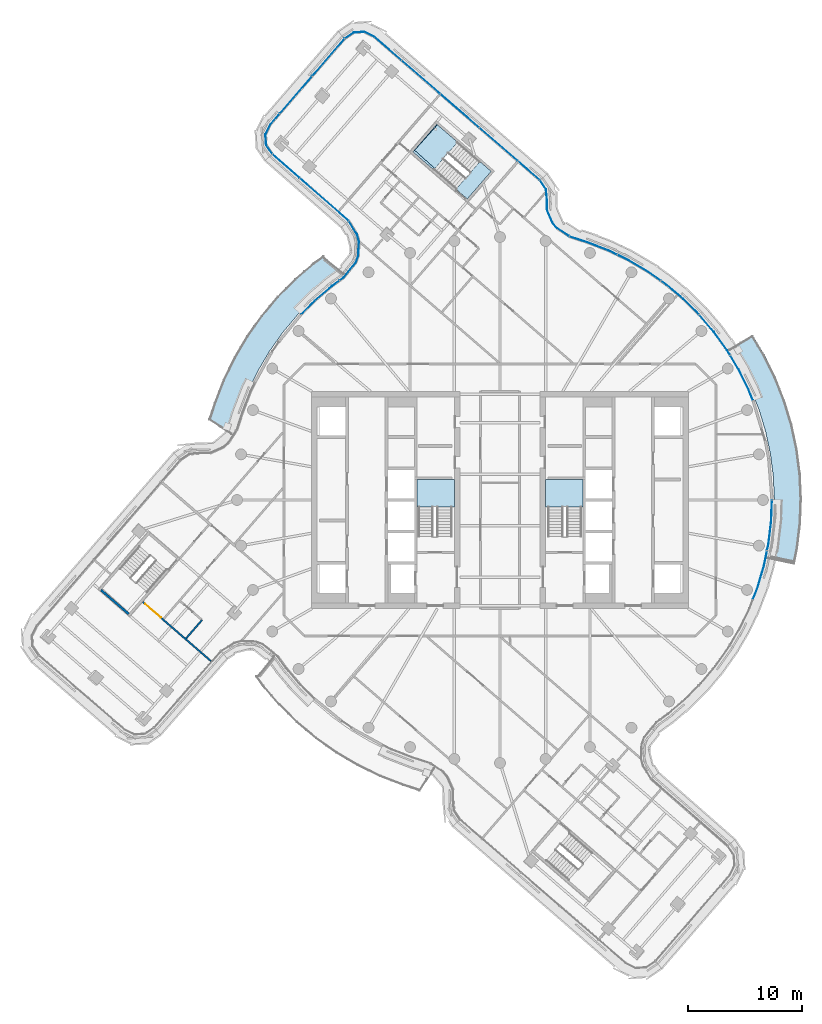
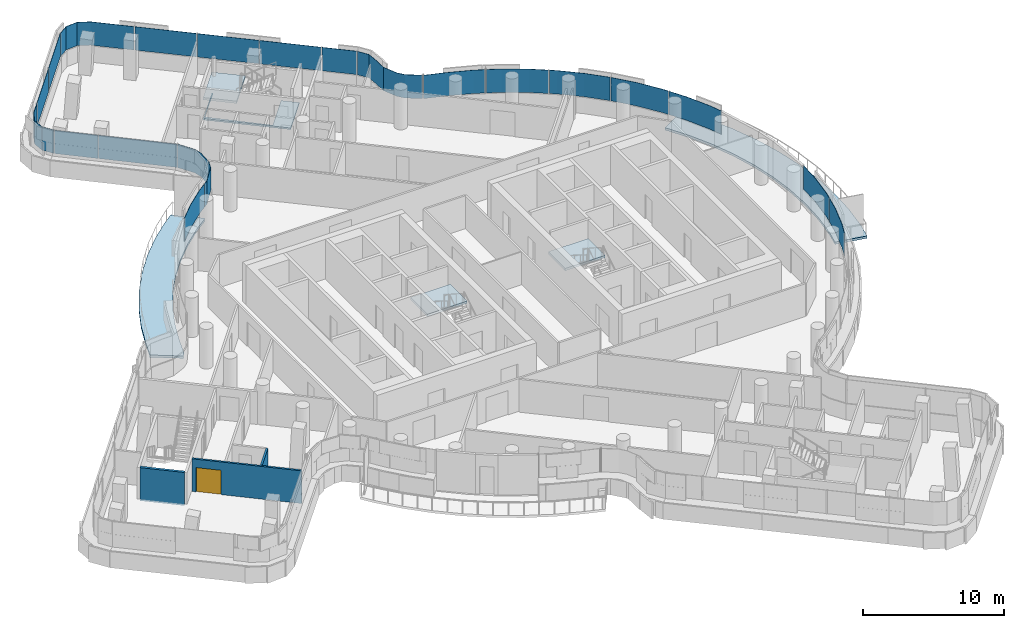
# One storey, part 18 of 32: 20 plates, 6 slabs, 3 walls, 1 door, 1 opening, 8 elements without a shape of their own.
"""IFC4 building model written with IfcOpenShell, lengths in metres."""

from ifc_helpers import new_model, si_unit, direction, frame, frame_2d, origin, place, context, subcontext, project, spatial, polyline, rectangle, outline, extrude, material, layer, layer_set, type_object, element, fill, aggregate, save


model = new_model("IFC4")

# Units and contexts
model_context = context("Model", 3, precision=1e-05, world=origin(), true_north=direction((0.0, 1.0)))
body_context = subcontext(model_context, "Body", "Model", "MODEL_VIEW")
ifc_project = project(units=[si_unit("LENGTHUNIT", "METRE"), si_unit("AREAUNIT", "SQUARE_METRE"), si_unit("VOLUMEUNIT", "CUBIC_METRE"), si_unit("PLANEANGLEUNIT", "RADIAN"), si_unit("MASSUNIT", "GRAM", prefix="KILO")], contexts=[model_context])

# Site, building, storey
site_placement = place(None, origin())
site = spatial("IfcSite", under=ifc_project, at=site_placement, CompositionType="ELEMENT")
building_placement = place(site_placement, origin())
building = spatial("IfcBuilding", under=site, at=building_placement, Name="Tamarind Cross Interchange Tower", CompositionType="ELEMENT")
storey_placement = place(building_placement, frame((0.0, 0.0, 211.300048828125)))
storey = spatial("IfcBuildingStorey", under=building, at=storey_placement, Name="L53", CompositionType="ELEMENT", Elevation=211.300048828125)

# Slabs
ifc_material_1 = material(Name="Precast concrete C40", Category="concrete")
ifc_layer_1 = layer(ifc_material_1, 0.199951171875)
ifc_layer_set_1 = layer_set([ifc_layer_1], Name="Precast concrete C40")
slab_type_1 = type_object("IfcSlabType", Name="Balcony slab", PredefinedType="BASESLAB", material=ifc_layer_set_1)
slab_1_placement = place(storey_placement, frame((0.0, 0.0, -0.199951171875)))
element("IfcSlab", 1, at=slab_1_placement, inside=storey, type_object=slab_type_1, Name="SLB-L53-BAL06", PredefinedType="BASESLAB", context=body_context, shape_type="SweptSolid", body=[
    extrude(outline(polyline([(23.43212890625, -5.0830078125), (23.685546875, -3.84765625), (23.92236328125, -1.878662109375), (23.995849609375, 0.103271484375), (23.9052734375, 2.08447265625), (23.6513671875, 4.051513671875), (23.236083984375, 5.99072265625), (22.662109375, 7.88916015625), (21.93310546875, 9.733642578125), (21.054443359375, 11.511474609375), (20.084228515625, 13.1240234375), (22.140625, 14.361328125), (23.162109375, 12.663818359375), (24.128662109375, 10.7080078125), (24.9306640625, 8.6787109375), (25.56201171875, 6.59033203125), (26.01904296875, 4.45703125), (26.298095703125, 2.293212890625), (26.397705078125, 0.113525390625), (26.31689453125, -2.066650390625), (26.056396484375, -4.23291015625), (25.782958984375, -5.565185546875), (23.43212890625, -5.0830078125)])), origin(), (0.0, 0.0, 1.0), 0.199951171875),
])
slab_2_placement = place(storey_placement, frame((0.0, 0.0, -0.199951171875)))
element("IfcSlab", 2, at=slab_2_placement, inside=storey, type_object=slab_type_1, Name="SLB-L53-BAL10", PredefinedType="BASESLAB", context=body_context, shape_type="SweptSolid", body=[
    extrude(outline(polyline([(-13.683837890625, 19.7607421875), (-13.809326171875, 19.604736328125), (-14.820068359375, 18.87255859375), (-16.327880859375, 17.584228515625), (-17.72412109375, 16.17578125), (-18.99951171875, 14.656982421875), (-20.14501953125, 13.0380859375), (-21.15283203125, 11.329833984375), (-22.01611328125, 9.54443359375), (-22.72900390625, 7.69384765625), (-23.21533203125, 6.205322265625), (-23.488525390625, 5.78662109375), (-25.498291015625, 7.098388671875), (-25.398193359375, 7.251708984375), (-24.9912109375, 8.498291015625), (-24.219970703125, 10.499755859375), (-23.270263671875, 12.464111328125), (-22.161376953125, 14.343017578125), (-20.9013671875, 16.124267578125), (-19.498291015625, 17.795166015625), (-17.96240234375, 19.344482421875), (-16.305908203125, 20.759765625), (-15.47802734375, 21.359375), (-15.554443359375, 21.264404296875), (-13.683837890625, 19.7607421875)])), origin(), (0.0, 0.0, 1.0), 0.199951171875),
])
ifc_material_2 = material(Name="Concrete C35", Category="concrete")
ifc_layer_2 = layer(ifc_material_2, 0.139892578125)
ifc_layer_set_2 = layer_set([ifc_layer_2], Name="Concrete C35")
slab_type_2 = type_object("IfcSlabType", Name="Composite slab 140 Concrete C35", PredefinedType="FLOOR", material=ifc_layer_set_2)
slab_3_placement = place(storey_placement, frame((0.0, 0.0, -0.14013671875)))
element("IfcSlab", 3, at=slab_3_placement, inside=storey, type_object=slab_type_2, Name="Floor slab L53", PredefinedType="FLOOR", context=body_context, shape_type="SweptSolid", body=[
    extrude(outline(polyline([(-5.530517578125, 32.875), (-7.625244140625, 30.4560546875), (-2.863037109375, 26.33154296875), (-0.76806640625, 28.75048828125), (-1.760009765625, 29.609619140625), (-3.779296875, 27.277587890625), (-7.469970703125, 30.59375), (-5.468505859375, 32.8212890625), (-5.530517578125, 32.875)])), origin(), (0.0, 0.0, 1.0), 0.14013671875),
])

# Stair, slab
ifc_material_3 = material(Name="Exit stair")
stair_type = type_object("IfcStairType", Name="Exit stair", PredefinedType="HALF_TURN_STAIR", material=ifc_material_3)
stair_1_placement = place(storey_placement, origin())
stair_1 = element("IfcStair", 4, at=stair_1_placement, inside=storey, type_object=stair_type, Name="L53 exit stair ST1", PredefinedType="HALF_TURN_STAIR")
ifc_material_4 = material(Name="Concrete C40", Category="concrete")
ifc_layer_3 = layer(ifc_material_4, 0.199951171875)
ifc_layer_set_3 = layer_set([ifc_layer_3], Name="Concrete C40")
slab_type_3 = type_object("IfcSlabType", Name="Stair landing", PredefinedType="LANDING", material=ifc_layer_set_3)
slab_4_placement = place(storey_placement, frame((0.0, 0.0, 1.599853515625)))
slab_4 = element("IfcSlab", 5, at=slab_4_placement, type_object=slab_type_3, Name="ST1 landing 1", PredefinedType="LANDING", context=body_context, shape_type="SweptSolid", body=[
    extrude(outline(polyline([(-4.0, -0.60009765625), (-4.0, 1.800048828125), (-7.25, 1.800048828125), (-7.25, -0.60009765625), (-4.0, -0.60009765625)])), origin(), (0.0, 0.0, 1.0), 0.2001953125),
])
aggregate(stair_1, [slab_4])

stair_2_placement = place(storey_placement, origin())
stair_2 = element("IfcStair", 6, at=stair_2_placement, inside=storey, type_object=stair_type, Name="L53 exit stair ST2", PredefinedType="HALF_TURN_STAIR")
slab_5_placement = place(storey_placement, frame((0.0, 0.0, 1.599853515625)))
slab_5 = element("IfcSlab", 7, at=slab_5_placement, type_object=slab_type_3, Name="ST2 landing 1", PredefinedType="LANDING", context=body_context, shape_type="SweptSolid", body=[
    extrude(outline(polyline([(7.25, -0.60009765625), (7.25, 1.800048828125), (4.0, 1.800048828125), (4.0, -0.60009765625), (7.25, -0.60009765625)])), origin(), (0.0, 0.0, 1.0), 0.2001953125),
])
aggregate(stair_2, [slab_5])

stair_3_placement = place(storey_placement, origin())
stair_3 = element("IfcStair", 8, at=stair_3_placement, inside=storey, type_object=stair_type, Name="L53 exit stair ST4", PredefinedType="HALF_TURN_STAIR")
slab_6_placement = place(storey_placement, frame((0.0, 0.0, 1.599853515625)))
slab_6 = element("IfcSlab", 9, at=slab_6_placement, type_object=slab_type_3, Name="ST4 landing 1", PredefinedType="LANDING", context=body_context, shape_type="SweptSolid", body=[
    extrude(outline(polyline([(-3.70703125, 31.2958984375), (-5.530517578125, 32.875), (-7.625244140625, 30.4560546875), (-5.802001953125, 28.876953125), (-3.70703125, 31.2958984375)])), origin(), (0.0, 0.0, 1.0), 0.2001953125),
])
aggregate(stair_3, [slab_6])

# Curtain wall, plates
ifc_material_5 = material(Name="Aluminium 6063-T6", Category="aluminium")
ifc_layer_4 = layer(ifc_material_5, 0.139892578125)
ifc_layer_set_4 = layer_set([ifc_layer_4], Name="Aluminium 6063-T6")
curtain_wall_type = type_object("IfcCurtainWallType", Name="Hotel curtain wall, 4.5 m bays", PredefinedType="NOTDEFINED", material=ifc_layer_set_4)
curtain_wall_1_placement = place(storey_placement, origin())
curtain_wall_1 = element("IfcCurtainWall", 10, at=curtain_wall_1_placement, inside=storey, type_object=curtain_wall_type, Name="CWS-L53-06", PredefinedType="NOTDEFINED")
ifc_material_6 = material(Name="Laminated low-e glass 6+1.52+6", Category="glass")
ifc_layer_5 = layer(ifc_material_6, 0.02392578125)
ifc_layer_set_5 = layer_set([ifc_layer_5], Name="Laminated low-e glass 6+1.52+6")
plate_type = type_object("IfcPlateType", Name="Vision panel CW2", PredefinedType="CURTAIN_PANEL", material=ifc_layer_set_5)
plate_1_placement = place(storey_placement, frame((0.0, 0.0, 1.39990234375)))
plate_1 = element("IfcPlate", 11, at=plate_1_placement, type_object=plate_type, Name="CWP-L53-06-04", PredefinedType="CURTAIN_PANEL", context=body_context, shape_type="SweptSolid", body=[
    extrude(outline(polyline([(22.118896484375, -8.68798828125), (22.528076171875, -7.625732421875), (23.080810546875, -5.7392578125), (23.342529296875, -4.46484375), (23.365966796875, -4.4697265625), (23.104248046875, -5.7451171875), (22.55078125, -7.63330078125), (22.141357421875, -8.69677734375), (22.118896484375, -8.68798828125)])), origin(), (0.0, 0.0, 1.0), 2.02001953125),
])
plate_2_placement = place(storey_placement, frame((0.0, 0.0, 1.39990234375)))
plate_2 = element("IfcPlate", 12, at=plate_2_placement, type_object=plate_type, Name="CWP-L53-06-05", PredefinedType="CURTAIN_PANEL", context=body_context, shape_type="SweptSolid", body=[
    extrude(outline(polyline([(23.3544921875, -4.406005859375), (23.47607421875, -3.813720703125), (23.710693359375, -1.862060546875), (23.77880859375, -0.028564453125), (23.802734375, -0.029541015625), (23.734619140625, -1.864013671875), (23.499755859375, -3.817626953125), (23.3779296875, -4.410888671875), (23.3544921875, -4.406005859375)])), origin(), (0.0, 0.0, 1.0), 2.02001953125),
])
plate_3_placement = place(storey_placement, frame((0.0, 0.0, 1.39990234375)))
plate_3 = element("IfcPlate", 13, at=plate_3_placement, type_object=plate_type, Name="CWP-L53-06-07", PredefinedType="CURTAIN_PANEL", context=body_context, shape_type="SweptSolid", body=[
    extrude(outline(polyline([(22.109375, 8.71044921875), (21.7392578125, 9.6474609375), (20.868408203125, 11.40966796875), (20.1298828125, 12.63671875), (20.150634765625, 12.649169921875), (20.889404296875, 11.421142578125), (21.76123046875, 9.6572265625), (22.1318359375, 8.71923828125), (22.109375, 8.71044921875)])), origin(), (0.0, 0.0, 1.0), 2.02001953125),
])
plate_4_placement = place(storey_placement, frame((0.0, 0.0, 1.39990234375)))
plate_4 = element("IfcPlate", 14, at=plate_4_placement, type_object=plate_type, Name="CWP-L53-06-08", PredefinedType="CURTAIN_PANEL", context=body_context, shape_type="SweptSolid", body=[
    extrude(outline(polyline([(20.09912109375, 12.688232421875), (19.854736328125, 13.093994140625), (18.705810546875, 14.68896484375), (17.42919921875, 16.18310546875), (17.447265625, 16.19873046875), (18.724609375, 14.703857421875), (19.874755859375, 13.107177734375), (20.11962890625, 12.700439453125), (20.09912109375, 12.688232421875)])), origin(), (0.0, 0.0, 1.0), 2.02001953125),
])
plate_5_placement = place(storey_placement, frame((0.0, 0.0, 1.39990234375)))
plate_5 = element("IfcPlate", 15, at=plate_5_placement, type_object=plate_type, Name="CWP-L53-06-09", PredefinedType="CURTAIN_PANEL", context=body_context, shape_type="SweptSolid", body=[
    extrude(outline(polyline([(17.38720703125, 16.224609375), (16.032958984375, 17.5673828125), (14.52734375, 18.83154296875), (14.093017578125, 19.138671875), (14.10693359375, 19.158447265625), (14.5419921875, 18.850341796875), (16.049072265625, 17.585205078125), (17.404052734375, 16.24169921875), (17.38720703125, 16.224609375)])), origin(), (0.0, 0.0, 1.0), 2.02001953125),
])
plate_6_placement = place(storey_placement, frame((0.0, 0.0, 1.39990234375)))
plate_6 = element("IfcPlate", 16, at=plate_6_placement, type_object=plate_type, Name="CWP-L53-06-10", PredefinedType="CURTAIN_PANEL", context=body_context, shape_type="SweptSolid", body=[
    extrude(outline(polyline([(14.0439453125, 19.17333984375), (12.922607421875, 19.966796875), (11.229736328125, 20.9658203125), (10.27001953125, 21.4296875), (10.280517578125, 21.451416015625), (11.240966796875, 20.98681640625), (12.935791015625, 19.987060546875), (14.057861328125, 19.193115234375), (14.0439453125, 19.17333984375)])), origin(), (0.0, 0.0, 1.0), 2.02001953125),
])
plate_7_placement = place(storey_placement, frame((0.0, 0.0, 1.39990234375)))
plate_7 = element("IfcPlate", 17, at=plate_7_placement, type_object=plate_type, Name="CWP-L53-06-11", PredefinedType="CURTAIN_PANEL", context=body_context, shape_type="SweptSolid", body=[
    extrude(outline(polyline([(10.216064453125, 21.455810546875), (9.4599609375, 21.821533203125), (7.62255859375, 22.529296875), (6.11279296875, 23.0224609375), (6.078857421875, 23.04443359375), (6.092041015625, 23.064697265625), (6.123291015625, 23.044189453125), (7.630615234375, 22.552001953125), (9.469482421875, 21.843505859375), (10.2265625, 21.4775390625), (10.216064453125, 21.455810546875)])), origin(), (0.0, 0.0, 1.0), 2.02001953125),
])
plate_8_placement = place(storey_placement, frame((0.0, 0.0, 1.39990234375)))
plate_8 = element("IfcPlate", 18, at=plate_8_placement, type_object=plate_type, Name="CWP-L53-06-12", PredefinedType="CURTAIN_PANEL", context=body_context, shape_type="SweptSolid", body=[
    extrude(outline(polyline([(6.02880859375, 23.077392578125), (4.996826171875, 23.750732421875), (4.59619140625, 24.22314453125), (4.112060546875, 25.322509765625), (4.09814453125, 26.2548828125), (4.01123046875, 27.196533203125), (3.502685546875, 27.936767578125), (3.5224609375, 27.950439453125), (4.03466796875, 27.204833984375), (4.1220703125, 26.256103515625), (4.135986328125, 25.32763671875), (4.61669921875, 24.23583984375), (5.012939453125, 23.76904296875), (6.041748046875, 23.097412109375), (6.02880859375, 23.077392578125)])), origin(), (0.0, 0.0, 1.0), 2.02001953125),
])
aggregate(curtain_wall_1, [plate_1, plate_2, plate_3, plate_4, plate_5, plate_6, plate_7, plate_8])

curtain_wall_2_placement = place(storey_placement, origin())
curtain_wall_2 = element("IfcCurtainWall", 19, at=curtain_wall_2_placement, inside=storey, type_object=curtain_wall_type, Name="CWS-L53-07", PredefinedType="NOTDEFINED")
plate_9_placement = place(storey_placement, frame((0.0, 0.0, 1.39990234375)))
plate_9 = element("IfcPlate", 20, at=plate_9_placement, type_object=plate_type, Name="CWP-L53-07-00", PredefinedType="CURTAIN_PANEL", context=body_context, shape_type="SweptSolid", body=[
    extrude(outline(polyline([(3.465087890625, 27.978759765625), (1.579833984375, 29.611572265625), (1.595703125, 29.629638671875), (3.480712890625, 27.9970703125), (3.465087890625, 27.978759765625)])), origin(), (0.0, 0.0, 1.0), 2.02001953125),
])
plate_10_placement = place(storey_placement, frame((0.0, 0.0, 1.39990234375)))
plate_10 = element("IfcPlate", 21, at=plate_10_placement, type_object=plate_type, Name="CWP-L53-07-01", PredefinedType="CURTAIN_PANEL", context=body_context, shape_type="SweptSolid", body=[
    extrude(outline(polyline([(1.53466796875, 29.65087890625), (-1.8125, 32.549560546875), (-1.796875, 32.567626953125), (1.55029296875, 29.6689453125), (1.53466796875, 29.65087890625)])), origin(), (0.0, 0.0, 1.0), 2.02001953125),
])
plate_11_placement = place(storey_placement, frame((0.0, 0.0, 1.39990234375)))
plate_11 = element("IfcPlate", 22, at=plate_11_placement, type_object=plate_type, Name="CWP-L53-07-02", PredefinedType="CURTAIN_PANEL", context=body_context, shape_type="SweptSolid", body=[
    extrude(outline(polyline([(-1.85791015625, 32.5888671875), (-5.205078125, 35.487548828125), (-5.189208984375, 35.505859375), (-1.84228515625, 32.60693359375), (-1.85791015625, 32.5888671875)])), origin(), (0.0, 0.0, 1.0), 2.02001953125),
])
plate_12_placement = place(storey_placement, frame((0.0, 0.0, 1.39990234375)))
plate_12 = element("IfcPlate", 23, at=plate_12_placement, type_object=plate_type, Name="CWP-L53-07-03", PredefinedType="CURTAIN_PANEL", context=body_context, shape_type="SweptSolid", body=[
    extrude(outline(polyline([(-5.250244140625, 35.52685546875), (-8.597412109375, 38.42578125), (-8.581787109375, 38.44384765625), (-5.234619140625, 35.545166015625), (-5.250244140625, 35.52685546875)])), origin(), (0.0, 0.0, 1.0), 2.02001953125),
])
plate_13_placement = place(storey_placement, frame((0.0, 0.0, 1.39990234375)))
plate_13 = element("IfcPlate", 24, at=plate_13_placement, type_object=plate_type, Name="CWP-L53-07-04", PredefinedType="CURTAIN_PANEL", context=body_context, shape_type="SweptSolid", body=[
    extrude(outline(polyline([(-8.642822265625, 38.46484375), (-11.02099609375, 40.524658203125), (-11.876220703125, 40.939697265625), (-12.79541015625, 40.873779296875), (-13.55908203125, 40.356689453125), (-13.572509765625, 40.37646484375), (-12.803466796875, 40.897216796875), (-11.871337890625, 40.964111328125), (-11.007568359375, 40.544921875), (-8.626953125, 38.483154296875), (-8.642822265625, 38.46484375)])), origin(), (0.0, 0.0, 1.0), 2.02001953125),
])
aggregate(curtain_wall_2, [plate_9, plate_10, plate_11, plate_12, plate_13])

curtain_wall_3_placement = place(storey_placement, origin())
curtain_wall_3 = element("IfcCurtainWall", 25, at=curtain_wall_3_placement, inside=storey, type_object=curtain_wall_type, Name="CWS-L53-08", PredefinedType="NOTDEFINED")
plate_14_placement = place(storey_placement, frame((0.0, 0.0, 1.39990234375)))
plate_14 = element("IfcPlate", 26, at=plate_14_placement, type_object=plate_type, Name="CWP-L53-08-00", PredefinedType="CURTAIN_PANEL", context=body_context, shape_type="SweptSolid", body=[
    extrude(outline(polyline([(-13.60107421875, 40.3193359375), (-16.40673828125, 37.079833984375), (-16.4248046875, 37.095458984375), (-13.619140625, 40.3349609375), (-13.60107421875, 40.3193359375)])), origin(), (0.0, 0.0, 1.0), 2.02001953125),
])
plate_15_placement = place(storey_placement, frame((0.0, 0.0, 1.39990234375)))
plate_15 = element("IfcPlate", 27, at=plate_15_placement, type_object=plate_type, Name="CWP-L53-08-01", PredefinedType="CURTAIN_PANEL", context=body_context, shape_type="SweptSolid", body=[
    extrude(outline(polyline([(-16.446044921875, 37.034423828125), (-19.251708984375, 33.794921875), (-19.269775390625, 33.810546875), (-16.464111328125, 37.050048828125), (-16.446044921875, 37.034423828125)])), origin(), (0.0, 0.0, 1.0), 2.02001953125),
])
plate_16_placement = place(storey_placement, frame((0.0, 0.0, 1.39990234375)))
plate_16 = element("IfcPlate", 28, at=plate_16_placement, type_object=plate_type, Name="CWP-L53-08-02", PredefinedType="CURTAIN_PANEL", context=body_context, shape_type="SweptSolid", body=[
    extrude(outline(polyline([(-19.291015625, 33.74951171875), (-20.092529296875, 32.82373046875), (-20.5078125, 31.96875), (-20.441650390625, 31.04931640625), (-19.92431640625, 30.285400390625), (-19.9443359375, 30.27197265625), (-20.46533203125, 31.041259765625), (-20.5322265625, 31.973388671875), (-20.11279296875, 32.837158203125), (-19.30908203125, 33.76513671875), (-19.291015625, 33.74951171875)])), origin(), (0.0, 0.0, 1.0), 2.02001953125),
])
aggregate(curtain_wall_3, [plate_14, plate_15, plate_16])

curtain_wall_4_placement = place(storey_placement, origin())
curtain_wall_4 = element("IfcCurtainWall", 29, at=curtain_wall_4_placement, inside=storey, type_object=curtain_wall_type, Name="CWS-L53-09", PredefinedType="NOTDEFINED")
plate_17_placement = place(storey_placement, frame((0.0, 0.0, 1.39990234375)))
plate_17 = element("IfcPlate", 30, at=plate_17_placement, type_object=plate_type, Name="CWP-L53-09-00", PredefinedType="CURTAIN_PANEL", context=body_context, shape_type="SweptSolid", body=[
    extrude(outline(polyline([(-19.886962890625, 30.2431640625), (-17.533203125, 28.18359375), (-17.548828125, 28.16552734375), (-19.90283203125, 30.22509765625), (-19.886962890625, 30.2431640625)])), origin(), (0.0, 0.0, 1.0), 2.02001953125),
])
plate_18_placement = place(storey_placement, frame((0.0, 0.0, 1.39990234375)))
plate_18 = element("IfcPlate", 31, at=plate_18_placement, type_object=plate_type, Name="CWP-L53-09-01", PredefinedType="CURTAIN_PANEL", context=body_context, shape_type="SweptSolid", body=[
    extrude(outline(polyline([(-17.488037109375, 28.14404296875), (-13.24658203125, 24.43310546875), (-13.26220703125, 24.4150390625), (-17.503662109375, 28.1259765625), (-17.488037109375, 28.14404296875)])), origin(), (0.0, 0.0, 1.0), 2.02001953125),
])
aggregate(curtain_wall_4, [plate_17, plate_18])

curtain_wall_5_placement = place(storey_placement, origin())
curtain_wall_5 = element("IfcCurtainWall", 32, at=curtain_wall_5_placement, inside=storey, type_object=curtain_wall_type, Name="CWS-L53-10", PredefinedType="NOTDEFINED")
plate_19_placement = place(storey_placement, frame((0.0, 0.0, 1.39990234375)))
plate_19 = element("IfcPlate", 33, at=plate_19_placement, type_object=plate_type, Name="CWP-L53-10-00", PredefinedType="CURTAIN_PANEL", context=body_context, shape_type="SweptSolid", body=[
    extrude(outline(polyline([(-13.205810546875, 24.38525390625), (-12.4892578125, 23.2314453125), (-12.3271484375, 22.608154296875), (-12.385009765625, 21.37158203125), (-12.60595703125, 20.763427734375), (-13.661865234375, 19.44970703125), (-13.999267578125, 19.205322265625), (-14.01318359375, 19.224853515625), (-13.678466796875, 19.46728515625), (-12.627197265625, 20.775146484375), (-12.408935546875, 21.37646484375), (-12.351318359375, 22.60546875), (-12.51171875, 23.221923828125), (-13.226318359375, 24.37255859375), (-13.205810546875, 24.38525390625)])), origin(), (0.0, 0.0, 1.0), 2.02001953125),
])
plate_20_placement = place(storey_placement, frame((0.0, 0.0, 1.39990234375)))
plate_20 = element("IfcPlate", 34, at=plate_20_placement, type_object=plate_type, Name="CWP-L53-10-01", PredefinedType="CURTAIN_PANEL", context=body_context, shape_type="SweptSolid", body=[
    extrude(outline(polyline([(-14.0478515625, 19.170166015625), (-14.688720703125, 18.705810546875), (-16.183349609375, 17.4287109375), (-17.357177734375, 16.244873046875), (-17.374267578125, 16.26171875), (-16.19970703125, 17.4462890625), (-14.70361328125, 18.724853515625), (-14.061767578125, 19.189453125), (-14.0478515625, 19.170166015625)])), origin(), (0.0, 0.0, 1.0), 2.02001953125),
])
aggregate(curtain_wall_5, [plate_19, plate_20])

# Wall, opening, door
ifc_material_7 = material(Name="Gypsum board partition on steel studs", Category="steel")
ifc_layer_6 = layer(ifc_material_7, 0.14990234375)
ifc_layer_set_6 = layer_set([ifc_layer_6], Name="Gypsum board partition on steel studs")
wall_type_1 = type_object("IfcWallType", Name="Partition 150 mm EI 120", PredefinedType="PARTITIONING", material=ifc_layer_set_6)
wall_1_placement = place(storey_placement, frame((-31.257080078125, -8.91650390625, 0.0), z_axis=(0.0, 0.0, 1.0), x_axis=(0.755780867756, -0.654824617691, 0.0)))
wall_1 = element("IfcWall", 35, at=wall_1_placement, inside=storey, type_object=wall_type_1, Name="Partition L53-005", PredefinedType="PARTITIONING", context=body_context, shape_type="SweptSolid", body=[
    extrude(rectangle(XDim=7.898193359375, YDim=0.14990234375, at=frame_2d((3.94921875, 0.0))), origin(), (0.0, 0.0, 1.0), 2.820068359375),
])
opening_placement = place(wall_1_placement, frame((0.300048828125, 0.0, 0.0)))
opening = element("IfcOpeningElement", 36, at=opening_placement, cuts=wall_1, Name="Opening D01", PredefinedType="OPENING", context=body_context, shape_type="SweptSolid", body=[
    extrude(rectangle(XDim=1.800048828125, YDim=2.10009765625, at=frame_2d((0.89990234375, 1.050048828125))), frame((0.0, 0.0849609375, 0.0), z_axis=(0.0, -1.0, 0.0), x_axis=(1.0, 0.0, 0.0)), (0.0, 0.0, 1.0), 0.169921875),
])
ifc_material_8 = material(Name="Fire-resisting door set")
door_type = type_object("IfcDoorType", Name="Interior door 1800 x 2100 FD60S", OperationType="DOUBLE_DOOR_SINGLE_SWING", PredefinedType="DOOR", material=ifc_material_8)
door_placement = place(opening_placement, frame((1.800048828125, 0.0, 0.0), z_axis=(0.0, 0.0, 1.0), x_axis=(-1.0, 0.0, 0.0)))
door = element("IfcDoor", 37, at=door_placement, inside=storey, type_object=door_type, Name="Door D01", OperationType="DOUBLE_DOOR_SINGLE_SWING", OverallHeight=2.10009765625, OverallWidth=1.800048828125, PredefinedType="DOOR", context=body_context, shape_type="SweptSolid", body=[
    extrude(rectangle(XDim=1.800048828125, YDim=2.10009765625, at=frame_2d((0.89990234375, 1.050048828125))), frame((0.0, 0.02490234375, 0.0), z_axis=(0.0, -1.0, 0.0), x_axis=(1.0, 0.0, 0.0)), (0.0, 0.0, 1.0), 0.050048828125),
])
fill(opening, door)

# Walls
wall_2_placement = place(storey_placement, frame((-27.45458984375, -12.1025390625, 0.0), z_axis=(0.0, 0.0, 1.0), x_axis=(0.654614792394, 0.755962613877, 0.0)))
element("IfcWall", 38, at=wall_2_placement, inside=storey, type_object=wall_type_1, Name="Partition L53-038", PredefinedType="PARTITIONING", context=body_context, shape_type="SweptSolid", body=[
    extrude(rectangle(XDim=2.119873046875, YDim=0.14990234375, at=frame_2d((1.06005859375, 0.0))), origin(), (0.0, 0.0, 1.0), 2.823974609375),
])
ifc_layer_7 = layer(ifc_material_4, 0.199951171875)
ifc_layer_set_7 = layer_set([ifc_layer_7], Name="Concrete C40")
wall_type_2 = type_object("IfcWallType", Name="Stair shaft wall 200 mm Concrete C40", PredefinedType="SHEAR", material=ifc_layer_set_7)
wall_3_placement = place(storey_placement, frame((0.0, 0.0, -0.14013671875)))
element("IfcWall", 39, at=wall_3_placement, inside=storey, type_object=wall_type_2, Name="Core wall CWL-L53-ST5-CF", PredefinedType="SHEAR", context=body_context, shape_type="SweptSolid", body=[
    extrude(outline(polyline([(-34.839111328125, -7.798095703125), (-34.969970703125, -7.94921875), (-32.551025390625, -10.044189453125), (-32.419921875, -9.89306640625), (-34.839111328125, -7.798095703125)])), origin(), (0.0, 0.0, 1.0), 2.860107421875),
])

save(model, "model.ifc")
